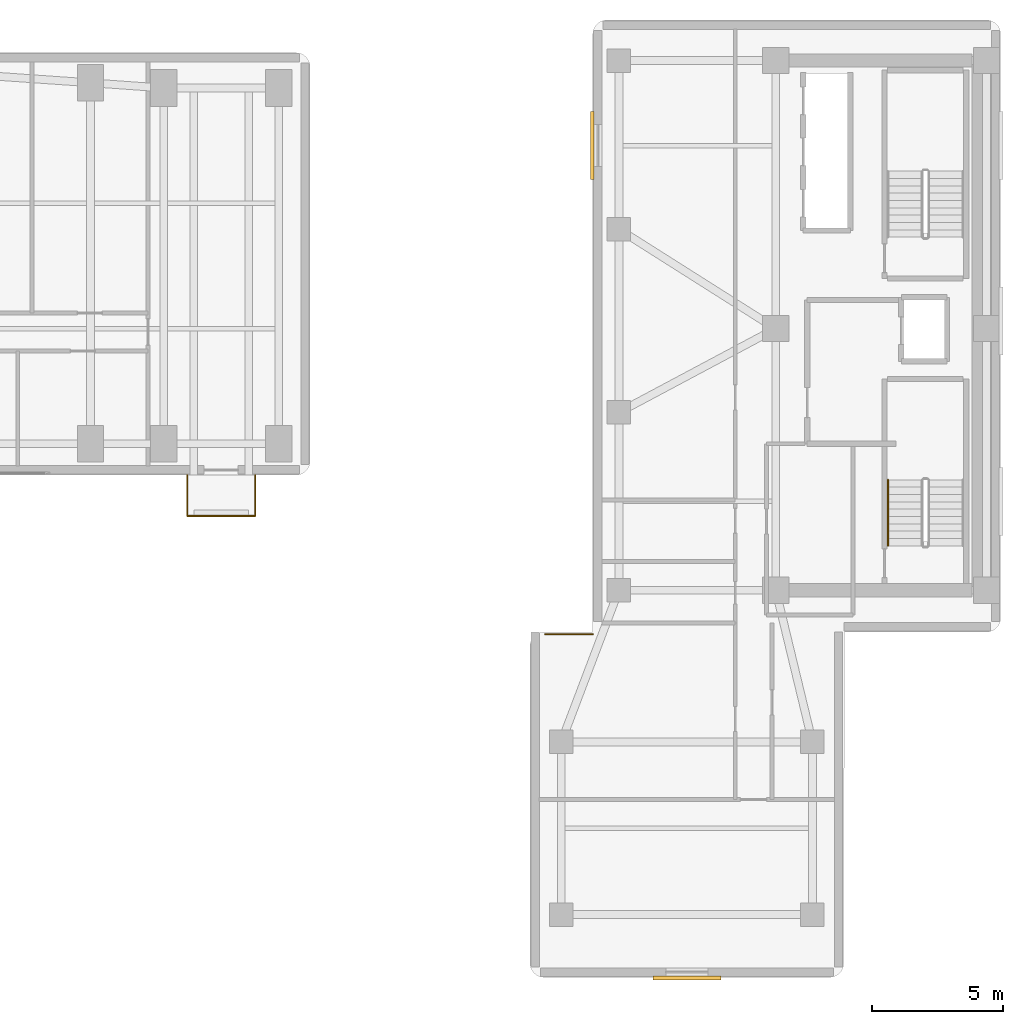
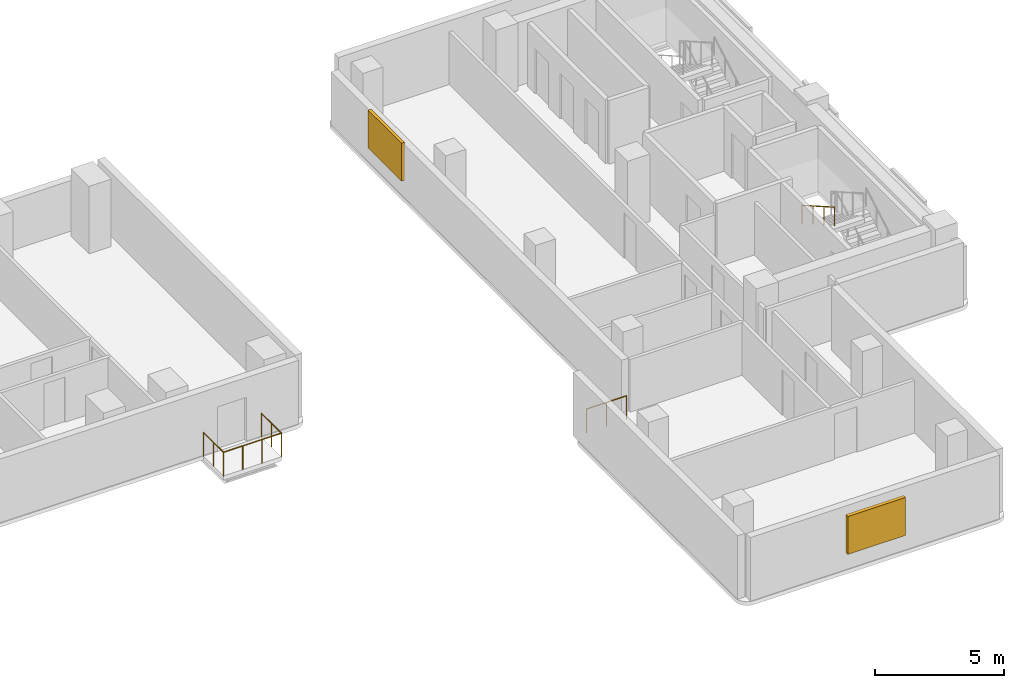
# One storey, part 13 of 14: 5 railings, 2 shading devices.
"""IFC4 building model written with IfcOpenShell, lengths in metres."""

from ifc_helpers import new_model, si_unit, direction, frame, origin, origin_2d, place, context, subcontext, project, spatial, rectangle, circle, extrude, material, layer, layer_set, type_object, element, save


model = new_model("IFC4")

# Units and contexts
model_context = context("Model", 3, precision=1e-05, world=origin(), true_north=direction((0.0, 1.0)))
body_context = subcontext(model_context, "Body", "Model", "MODEL_VIEW")
ifc_project = project(units=[si_unit("LENGTHUNIT", "METRE"), si_unit("AREAUNIT", "SQUARE_METRE"), si_unit("VOLUMEUNIT", "CUBIC_METRE"), si_unit("PLANEANGLEUNIT", "RADIAN"), si_unit("MASSUNIT", "GRAM", prefix="KILO")], contexts=[model_context])

# Site, building, storey
site_placement = place(None, origin())
site = spatial("IfcSite", under=ifc_project, at=site_placement, CompositionType="ELEMENT")
building_placement = place(site_placement, origin())
building = spatial("IfcBuilding", under=site, at=building_placement, Name="Kuzgunbayir Cultural Tower", CompositionType="ELEMENT")
storey_placement = place(building_placement, frame((0.0, 0.0, 62.800048828125)))
storey = spatial("IfcBuildingStorey", under=building, at=storey_placement, Name="L17", CompositionType="ELEMENT", Elevation=62.800048828125)

# Railings
ifc_material_1 = material(Name="Laminated Glass and Stainless Steel", Category="steel")
ifc_layer_1 = layer(ifc_material_1, 0.080078125)
ifc_layer_set_1 = layer_set([ifc_layer_1], Name="Laminated Glass and Stainless Steel")
railing_type_1 = type_object("IfcRailingType", Name="RLG-BAL-115", PredefinedType="BALUSTRADE", material=ifc_layer_set_1)
railing_1_placement = place(storey_placement, frame((42.10009765625, 26.39990234375, 0.0)))
element("IfcRailing", 1, at=railing_1_placement, inside=storey, type_object=railing_type_1, Name="L17 Balcony Guard BAL-L17-WB3 Segment 1", PredefinedType="BALUSTRADE", context=body_context, shape_type="SweptSolid", body=[
    extrude(circle(Radius=0.02392578125, at=origin_2d()), frame((0.0, 0.0, 1.1259765625), z_axis=(0.0, -1.0, 0.0), x_axis=(1.0, 0.0, 0.0)), (0.0, 0.0, 1.0), 1.559814453125),
    extrude(circle(Radius=0.02099609375, at=origin_2d()), origin(), (0.0, 0.0, 1.0), 1.101806640625),
    extrude(circle(Radius=0.02099609375, at=origin_2d()), frame((0.0, -0.77978515625, 0.0)), (0.0, 0.0, 1.0), 1.101806640625),
    extrude(circle(Radius=0.02099609375, at=origin_2d()), frame((0.0, -1.559814453125, 0.0)), (0.0, 0.0, 1.0), 1.101806640625),
])
railing_2_placement = place(storey_placement, frame((42.10009765625, 24.840087890625, 0.0)))
element("IfcRailing", 2, at=railing_2_placement, inside=storey, type_object=railing_type_1, Name="L17 Balcony Guard BAL-L17-WB3 Segment 2", PredefinedType="BALUSTRADE", context=body_context, shape_type="SweptSolid", body=[
    extrude(circle(Radius=0.02392578125, at=origin_2d()), frame((0.0, 0.0, 1.1259765625), z_axis=(1.0, 0.0, 0.0), x_axis=(0.0, 1.0, 0.0)), (0.0, 0.0, 1.0), 2.599853515625),
    extrude(circle(Radius=0.02099609375, at=origin_2d()), origin(), (0.0, 0.0, 1.0), 1.101806640625),
    extrude(circle(Radius=0.02099609375, at=origin_2d()), frame((0.86669921875, 0.0, 0.0)), (0.0, 0.0, 1.0), 1.101806640625),
    extrude(circle(Radius=0.02099609375, at=origin_2d()), frame((1.733154296875, 0.0, 0.0)), (0.0, 0.0, 1.0), 1.101806640625),
    extrude(circle(Radius=0.02099609375, at=origin_2d()), frame((2.599853515625, 0.0, 0.0)), (0.0, 0.0, 1.0), 1.101806640625),
])
railing_3_placement = place(storey_placement, frame((44.699951171875, 24.840087890625, 0.0)))
element("IfcRailing", 3, at=railing_3_placement, inside=storey, type_object=railing_type_1, Name="L17 Balcony Guard BAL-L17-WB3 Segment 3", PredefinedType="BALUSTRADE", context=body_context, shape_type="SweptSolid", body=[
    extrude(circle(Radius=0.02392578125, at=origin_2d()), frame((0.0, 0.0, 1.1259765625), z_axis=(0.0, 1.0, 0.0), x_axis=(-1.0, 0.0, 0.0)), (0.0, 0.0, 1.0), 1.559814453125),
    extrude(circle(Radius=0.02099609375, at=origin_2d()), origin(), (0.0, 0.0, 1.0), 1.101806640625),
    extrude(circle(Radius=0.02099609375, at=origin_2d()), frame((0.0, 0.77978515625, 0.0)), (0.0, 0.0, 1.0), 1.101806640625),
    extrude(circle(Radius=0.02099609375, at=origin_2d()), frame((0.0, 1.559814453125, 0.0)), (0.0, 0.0, 1.0), 1.101806640625),
])
railing_4_placement = place(storey_placement, frame((55.7900390625, 20.320068359375, 0.0)))
element("IfcRailing", 4, at=railing_4_placement, inside=storey, type_object=railing_type_1, Name="L17 Perimeter Edge Guard 1", PredefinedType="BALUSTRADE", context=body_context, shape_type="SweptSolid", body=[
    extrude(circle(Radius=0.02392578125, at=origin_2d()), frame((0.0, 0.0, 1.1259765625), z_axis=(1.0, 0.0, 0.0), x_axis=(0.0, 1.0, 0.0)), (0.0, 0.0, 1.0), 1.81005859375),
    extrude(circle(Radius=0.02099609375, at=origin_2d()), origin(), (0.0, 0.0, 1.0), 1.101806640625),
    extrude(circle(Radius=0.02099609375, at=origin_2d()), frame((0.905029296875, 0.0, 0.0)), (0.0, 0.0, 1.0), 1.101806640625),
    extrude(circle(Radius=0.02099609375, at=origin_2d()), frame((1.81005859375, 0.0, 0.0)), (0.0, 0.0, 1.0), 1.101806640625),
])
ifc_material_2 = material(Name="Brushed Stainless Steel", Category="steel")
ifc_layer_2 = layer(ifc_material_2, 0.050048828125)
ifc_layer_set_2 = layer_set([ifc_layer_2], Name="Brushed Stainless Steel")
railing_type_2 = type_object("IfcRailingType", Name="RLG-STAIR-HANDRAIL", PredefinedType="HANDRAIL", material=ifc_layer_set_2)
railing_5_placement = place(storey_placement, frame((68.889892578125, 26.219970703125, 1.760009765625)))
element("IfcRailing", 5, at=railing_5_placement, inside=storey, type_object=railing_type_2, Name="L17 ST-3 stair handrail 2", PredefinedType="HANDRAIL", context=body_context, shape_type="SweptSolid", body=[
    extrude(circle(Radius=0.02392578125, at=origin_2d()), frame((0.0, 0.0, 0.8759765625), z_axis=(0.0, -0.868253494771, 0.496120820787), x_axis=(1.0, 0.0, 0.0)), (0.0, 0.0, 1.0), 2.90234375),
    extrude(circle(Radius=0.02099609375, at=origin_2d()), origin(), (0.0, 0.0, 1.0), 0.851806640625),
    extrude(circle(Radius=0.02099609375, at=origin_2d()), frame((0.0, -0.840087890625, 0.47998046875)), (0.0, 0.0, 1.0), 0.851806640625),
    extrude(circle(Radius=0.02099609375, at=origin_2d()), frame((0.0, -1.679931640625, 0.9599609375)), (0.0, 0.0, 1.0), 0.851806640625),
    extrude(circle(Radius=0.02099609375, at=origin_2d()), frame((0.0, -2.52001953125, 1.43994140625)), (0.0, 0.0, 1.0), 0.851806640625),
])

# Shading devices
ifc_material_3 = material(Name="Perforated Bronze-Anodised Aluminium", Category="aluminium")
shading_device_type_1 = type_object("IfcShadingDeviceType", Name="SHD-SOLAR-BRONZE", PredefinedType="JALOUSIE", material=ifc_material_3)
shading_device_1_placement = place(storey_placement, frame((57.590087890625, 39.0, 0.7998046875), z_axis=(0.0, 0.0, 1.0), x_axis=(1.0, 0.0, 0.0)))
element("IfcShadingDevice", 6, at=shading_device_1_placement, inside=storey, type_object=shading_device_type_1, Name="L17 Companion Bronze Solar Screen 39", PredefinedType="JALOUSIE", context=body_context, shape_type="SweptSolid", body=[
    extrude(rectangle(XDim=0.139892578125, YDim=2.60009765625, at=origin_2d()), origin(), (0.0, 0.0, 1.0), 1.800048828125),
])
ifc_material_4 = material(Name="Warm Terracotta Ceramic Baguette", Category="masonry")
shading_device_type_2 = type_object("IfcShadingDeviceType", Name="SHD-SOLAR-CERAMIC", PredefinedType="SHUTTER", material=ifc_material_4)
shading_device_2_placement = place(storey_placement, frame((61.199951171875, 7.179931640625, 0.7998046875), z_axis=(0.0, 0.0, 1.0), x_axis=(1.0, 0.0, 0.0)))
element("IfcShadingDevice", 7, at=shading_device_2_placement, inside=storey, type_object=shading_device_type_2, Name="L17 Companion Ceramic Solar Screen S1", PredefinedType="SHUTTER", context=body_context, shape_type="SweptSolid", body=[
    extrude(rectangle(XDim=2.60009765625, YDim=0.159912109375, at=origin_2d()), origin(), (0.0, 0.0, 1.0), 1.800048828125),
])

save(model, "model.ifc")
